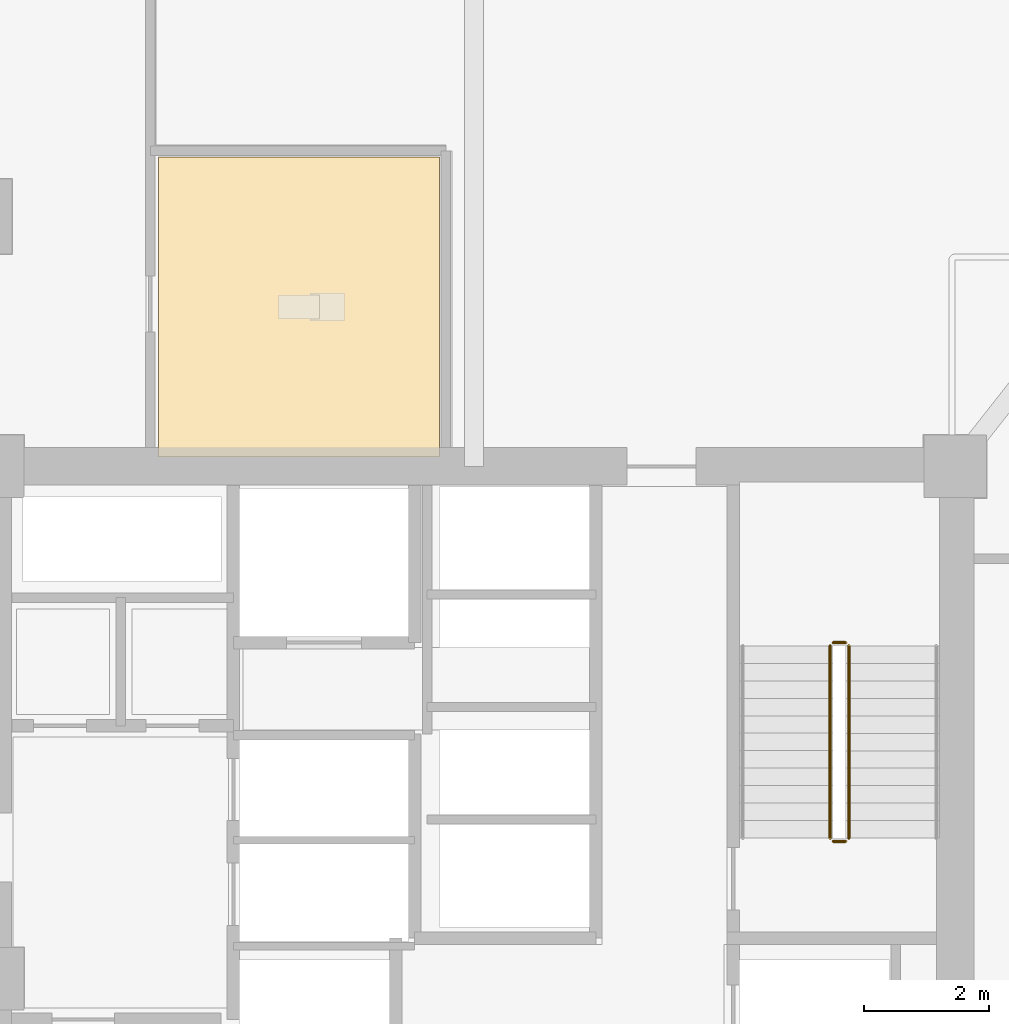
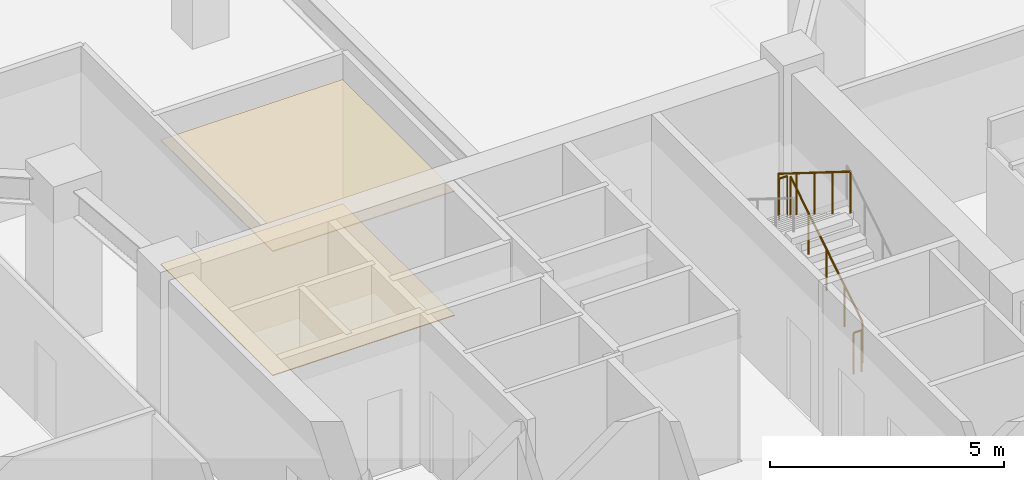
# One storey, part 18 of 22: 4 railings, 2 coverings.
"""IFC4 building model written with IfcOpenShell, lengths in metres."""

from ifc_helpers import new_model, si_unit, direction, frame, origin, origin_2d, place, context, subcontext, project, spatial, polyline, circle, outline, extrude, material, layer, layer_set, type_object, element, save


model = new_model("IFC4")

# Units and contexts
model_context = context("Model", 3, precision=1e-05, world=origin(), true_north=direction((0.0, 1.0)))
body_context = subcontext(model_context, "Body", "Model", "MODEL_VIEW")
ifc_project = project(units=[si_unit("LENGTHUNIT", "METRE"), si_unit("AREAUNIT", "SQUARE_METRE"), si_unit("VOLUMEUNIT", "CUBIC_METRE"), si_unit("PLANEANGLEUNIT", "RADIAN"), si_unit("MASSUNIT", "GRAM", prefix="KILO")], contexts=[model_context])

# Site, building, storey
site_placement = place(None, origin())
site = spatial("IfcSite", under=ifc_project, at=site_placement, CompositionType="ELEMENT")
building_placement = place(site_placement, origin())
building = spatial("IfcBuilding", under=site, at=building_placement, Name="Savorim Split Tower", CompositionType="ELEMENT")
storey_placement = place(building_placement, frame((0.0, 0.0, 13.39990234375)))
storey = spatial("IfcBuildingStorey", under=building, at=storey_placement, Name="L03", CompositionType="ELEMENT", Elevation=13.39990234375)

# Coverings
ifc_material_1 = material(Name="Mineral Fibre Acoustic Ceiling")
ifc_layer_1 = layer(ifc_material_1, 0.02490234375)
ifc_layer_set_1 = layer_set([ifc_layer_1], Name="COV-CEIL-25")
covering_type_1 = type_object("IfcCoveringType", Name="COV-CEIL-25", PredefinedType="CEILING", material=ifc_layer_set_1)
covering_1_placement = place(storey_placement, frame((0.0, 0.0, 3.239990234375)))
element("IfcCovering", 1, at=covering_1_placement, inside=storey, type_object=covering_type_1, Name="L03 Accessible WC Acoustic Ceiling", PredefinedType="CEILING", context=body_context, shape_type="SweptSolid", body=[
    extrude(outline(polyline([(-5.050048828125, 15.14990234375), (-5.050048828125, 10.35009765625), (-0.550048828125, 10.35009765625), (-0.550048828125, 15.14990234375), (-5.050048828125, 15.14990234375)])), origin(), (0.0, 0.0, 1.0), 0.025146484375),
])
ifc_material_2 = material(Name="Porcelain Stoneware Flooring", Category="masonry")
ifc_layer_2 = layer(ifc_material_2, 0.02001953125)
ifc_layer_set_2 = layer_set([ifc_layer_2], Name="COV-FLOR-20")
covering_type_2 = type_object("IfcCoveringType", Name="COV-FLOR-20", PredefinedType="FLOORING", material=ifc_layer_set_2)
covering_2_placement = place(storey_placement, origin())
element("IfcCovering", 2, at=covering_2_placement, inside=storey, type_object=covering_type_2, Name="L03 Accessible WC Porcelain Flooring", PredefinedType="FLOORING", context=body_context, shape_type="SweptSolid", body=[
    extrude(outline(polyline([(-5.050048828125, 15.14990234375), (-5.050048828125, 10.35009765625), (-0.550048828125, 10.35009765625), (-0.550048828125, 15.14990234375), (-5.050048828125, 15.14990234375)])), origin(), (0.0, 0.0, 1.0), 0.02001953125),
])

# Railings
ifc_material_3 = material(Name="Galvanised Painted Steel Balustrade", Category="steel")
railing_type = type_object("IfcRailingType", Name="RLG-STG-1100", PredefinedType="BALUSTRADE", material=ifc_material_3)
railing_1_placement = place(storey_placement, frame((6.0, 4.25, 0.175048828125)))
element("IfcRailing", 3, at=railing_1_placement, inside=storey, type_object=railing_type, Name="L03 ST-2 stair guard 1", PredefinedType="BALUSTRADE", context=body_context, shape_type="SweptSolid", body=[
    extrude(circle(Radius=0.02392578125, at=origin_2d()), frame((0.0, 0.0, 1.076171875), z_axis=(0.0, 0.847998304005, 0.529998940003), x_axis=(-1.0, 0.0, 0.0)), (0.0, 0.0, 1.0), 3.632080078125),
    extrude(circle(Radius=0.02099609375, at=origin_2d()), origin(), (0.0, 0.0, 1.0), 1.052001953125),
    extrude(circle(Radius=0.02099609375, at=origin_2d()), frame((0.0, 0.77001953125, 0.481201171875)), (0.0, 0.0, 1.0), 1.052001953125),
    extrude(circle(Radius=0.02099609375, at=origin_2d()), frame((0.0, 1.5400390625, 0.96240234375)), (0.0, 0.0, 1.0), 1.052001953125),
    extrude(circle(Radius=0.02099609375, at=origin_2d()), frame((0.0, 2.31005859375, 1.44384765625)), (0.0, 0.0, 1.0), 1.052001953125),
    extrude(circle(Radius=0.02099609375, at=origin_2d()), frame((0.0, 3.080078125, 1.925048828125)), (0.0, 0.0, 1.0), 1.052001953125),
])
railing_2_placement = place(storey_placement, frame((5.949951171875, 7.3798828125, 2.10009765625)))
element("IfcRailing", 4, at=railing_2_placement, inside=storey, type_object=railing_type, Name="L03 ST-2 stair guard 2", PredefinedType="BALUSTRADE", context=body_context, shape_type="SweptSolid", body=[
    extrude(circle(Radius=0.02392578125, at=origin_2d()), frame((0.0, 0.0, 1.076171875), z_axis=(-1.0, 0.0, 0.0), x_axis=(0.0, -1.0, 0.0)), (0.0, 0.0, 1.0), 0.199951171875),
    extrude(circle(Radius=0.02099609375, at=origin_2d()), origin(), (0.0, 0.0, 1.0), 1.052001953125),
    extrude(circle(Radius=0.02099609375, at=origin_2d()), frame((-0.199951171875, 0.0, 0.0)), (0.0, 0.0, 1.0), 1.052001953125),
])
railing_3_placement = place(storey_placement, frame((5.699951171875, 7.330078125, 2.275146484375)))
element("IfcRailing", 5, at=railing_3_placement, inside=storey, type_object=railing_type, Name="L03 ST-2 stair guard 3", PredefinedType="BALUSTRADE", context=body_context, shape_type="SweptSolid", body=[
    extrude(circle(Radius=0.02392578125, at=origin_2d()), frame((0.0, 0.0, 1.076171875), z_axis=(0.0, -0.847998304005, 0.529998940003), x_axis=(1.0, 0.0, 0.0)), (0.0, 0.0, 1.0), 3.632080078125),
    extrude(circle(Radius=0.02099609375, at=origin_2d()), origin(), (0.0, 0.0, 1.0), 1.052001953125),
    extrude(circle(Radius=0.02099609375, at=origin_2d()), frame((0.0, -0.77001953125, 0.481201171875)), (0.0, 0.0, 1.0), 1.052001953125),
    extrude(circle(Radius=0.02099609375, at=origin_2d()), frame((0.0, -1.5400390625, 0.96240234375)), (0.0, 0.0, 1.0), 1.052001953125),
    extrude(circle(Radius=0.02099609375, at=origin_2d()), frame((0.0, -2.31005859375, 1.44384765625)), (0.0, 0.0, 1.0), 1.052001953125),
    extrude(circle(Radius=0.02099609375, at=origin_2d()), frame((0.0, -3.080078125, 1.925048828125)), (0.0, 0.0, 1.0), 1.052001953125),
])
railing_4_placement = place(storey_placement, frame((5.949951171875, 4.199951171875, 0.0)))
element("IfcRailing", 6, at=railing_4_placement, inside=storey, type_object=railing_type, Name="L03 ST-2 stair guard 4", PredefinedType="BALUSTRADE", context=body_context, shape_type="SweptSolid", body=[
    extrude(circle(Radius=0.02392578125, at=origin_2d()), frame((0.0, 0.0, 1.076171875), z_axis=(-1.0, 0.0, 0.0), x_axis=(0.0, -1.0, 0.0)), (0.0, 0.0, 1.0), 0.199951171875),
    extrude(circle(Radius=0.02099609375, at=origin_2d()), origin(), (0.0, 0.0, 1.0), 1.052001953125),
    extrude(circle(Radius=0.02099609375, at=origin_2d()), frame((-0.199951171875, 0.0, 0.0)), (0.0, 0.0, 1.0), 1.052001953125),
])

save(model, "model.ifc")
